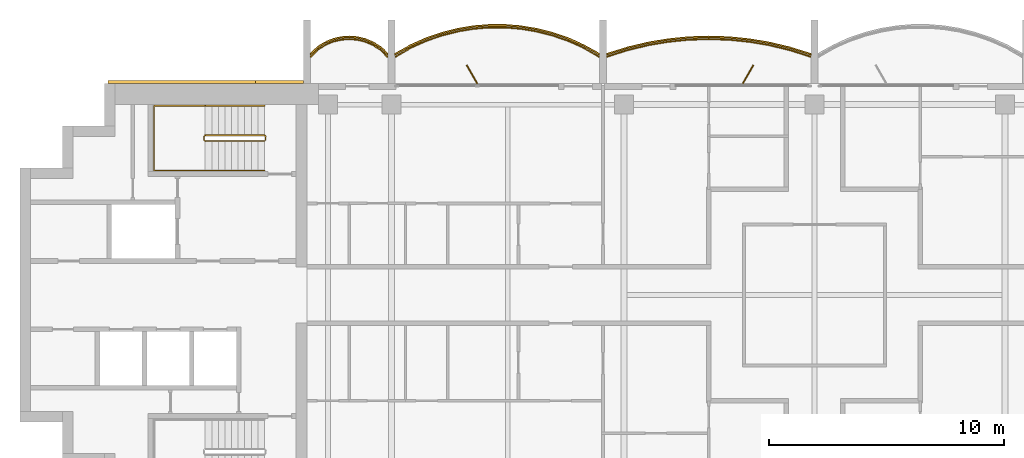
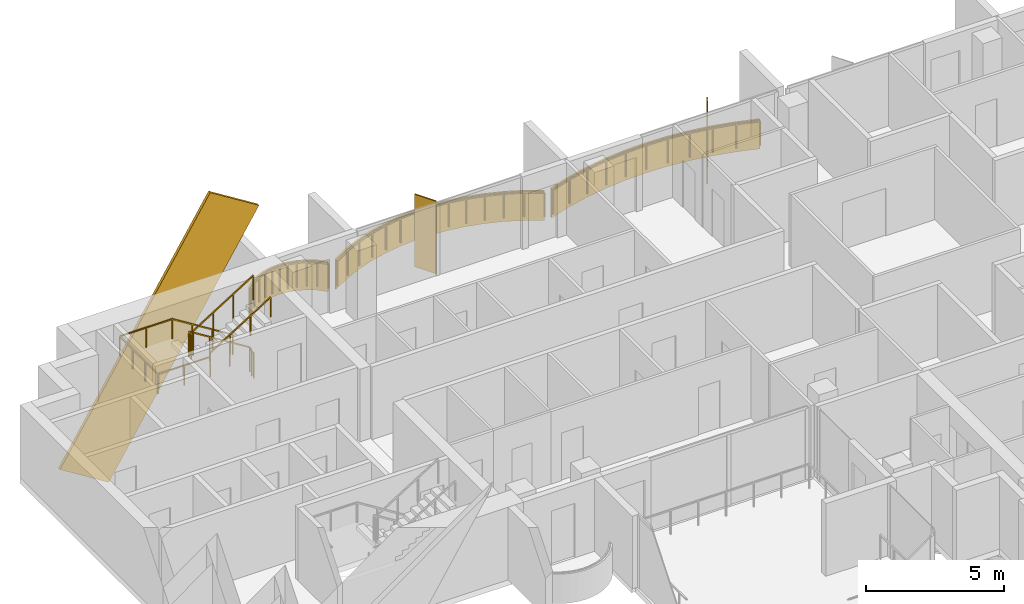
# One storey, part 16 of 18: 5 railings, 4 coverings, 2 shading devices.
"""IFC4 building model written with IfcOpenShell, lengths in metres."""

from ifc_helpers import new_model, si_unit, direction, frame, origin, origin_2d, place, context, subcontext, project, spatial, polyline, rectangle, outline, extrude, material, layer, layer_set, material_profile, profile_set, type_object, element, save


model = new_model("IFC4")

# Units and contexts
model_context = context("Model", 3, precision=1e-05, world=origin(), true_north=direction((0.0, 1.0)))
body_context = subcontext(model_context, "Body", "Model", "MODEL_VIEW")
ifc_project = project(units=[si_unit("LENGTHUNIT", "METRE"), si_unit("AREAUNIT", "SQUARE_METRE"), si_unit("VOLUMEUNIT", "CUBIC_METRE"), si_unit("PLANEANGLEUNIT", "RADIAN"), si_unit("MASSUNIT", "GRAM", prefix="KILO")], contexts=[model_context])

# Site, building, storey
site_placement = place(None, origin())
site = spatial("IfcSite", under=ifc_project, at=site_placement, CompositionType="ELEMENT")
building_placement = place(site_placement, origin())
building = spatial("IfcBuilding", under=site, at=building_placement, Name="Perihelion Cross Residences", CompositionType="ELEMENT")
storey_placement = place(building_placement, frame((0.0, 0.0, 281.5)))
storey = spatial("IfcBuildingStorey", under=building, at=storey_placement, Name="L72", CompositionType="ELEMENT", Elevation=281.5)

# Coverings
ifc_material_1 = material(Name="Bronze anodised aluminium", Category="aluminium")
ifc_layer_1 = layer(ifc_material_1, 0.070068359375)
ifc_layer_set_1 = layer_set([ifc_layer_1], Name="Balcony fascia 1300")
covering_type_1 = type_object("IfcCoveringType", Name="Balcony fascia 1300", PredefinedType="CLADDING", material=ifc_layer_set_1)
covering_1_placement = place(storey_placement, frame((0.0, 0.0, -0.199951171875)))
element("IfcCovering", 1, at=covering_1_placement, inside=storey, type_object=covering_type_1, Name="Fascia BF1 L72 north side east bay 2", PredefinedType="CLADDING", context=body_context, shape_type="SweptSolid", body=[
    extrude(outline(polyline([(-1.001220703125, 10.542724609375), (-1.8759765625, 10.753662109375), (-2.750732421875, 10.90234375), (-3.625244140625, 10.99072265625), (-4.5, 11.02001953125), (-5.374755859375, 10.99072265625), (-6.249267578125, 10.90234375), (-7.1240234375, 10.753662109375), (-7.998779296875, 10.542724609375), (-8.85009765625, 10.2734375), (-8.85009765625, 10.199951171875), (-7.97998046875, 10.47509765625), (-7.110107421875, 10.68505859375), (-6.239990234375, 10.8330078125), (-5.3701171875, 10.9208984375), (-4.5, 10.949951171875), (-3.6298828125, 10.9208984375), (-2.760009765625, 10.8330078125), (-1.889892578125, 10.68505859375), (-1.02001953125, 10.47509765625), (-0.14990234375, 10.199951171875), (-0.14990234375, 10.2734375), (-1.001220703125, 10.542724609375)])), origin(), (0.0, 0.0, 1.0), 1.300048828125),
])
covering_2_placement = place(storey_placement, frame((0.0, 0.0, -0.199951171875)))
element("IfcCovering", 2, at=covering_2_placement, inside=storey, type_object=covering_type_1, Name="Fascia BF1 L72 west side north bay 1", PredefinedType="CLADDING", context=body_context, shape_type="SweptSolid", body=[
    extrude(outline(polyline([(-9.787841796875, 10.63916015625), (-10.462646484375, 10.941650390625), (-11.1376953125, 11.175048828125), (-11.8125, 11.345947265625), (-12.487548828125, 11.457763671875), (-13.16259765625, 11.51318359375), (-13.83740234375, 11.51318359375), (-14.512451171875, 11.457763671875), (-15.1875, 11.345947265625), (-15.8623046875, 11.175048828125), (-16.537353515625, 10.941650390625), (-17.212158203125, 10.63916015625), (-17.85009765625, 10.2802734375), (-17.85009765625, 10.199951171875), (-17.1806640625, 10.57666015625), (-16.511474609375, 10.87646484375), (-15.84228515625, 11.108154296875), (-15.173095703125, 11.27734375), (-14.50390625, 11.38818359375), (-13.834716796875, 11.443115234375), (-13.165283203125, 11.443115234375), (-12.49609375, 11.38818359375), (-11.826904296875, 11.27734375), (-11.15771484375, 11.108154296875), (-10.488525390625, 10.87646484375), (-9.8193359375, 10.57666015625), (-9.14990234375, 10.199951171875), (-9.14990234375, 10.2802734375), (-9.787841796875, 10.63916015625)])), origin(), (0.0, 0.0, 1.0), 1.300048828125),
])
covering_3_placement = place(storey_placement, frame((0.0, 0.0, -0.199951171875)))
element("IfcCovering", 3, at=covering_3_placement, inside=storey, type_object=covering_type_1, Name="Fascia BF1 L72 west side north bay 2", PredefinedType="CLADDING", context=body_context, shape_type="SweptSolid", body=[
    extrude(outline(polyline([(-18.4375, 10.56298828125), (-18.778076171875, 10.77587890625), (-19.11865234375, 10.914794921875), (-19.45947265625, 10.994140625), (-19.800048828125, 11.02001953125), (-20.140625, 10.994140625), (-20.481201171875, 10.914794921875), (-20.82177734375, 10.77587890625), (-21.16259765625, 10.56298828125), (-21.449951171875, 10.295654296875), (-21.449951171875, 10.199951171875), (-21.1201171875, 10.507568359375), (-20.7900390625, 10.71337890625), (-20.4599609375, 10.84814453125), (-20.1298828125, 10.925048828125), (-19.800048828125, 10.949951171875), (-19.469970703125, 10.925048828125), (-19.139892578125, 10.84814453125), (-18.81005859375, 10.71337890625), (-18.47998046875, 10.507568359375), (-18.14990234375, 10.199951171875), (-18.14990234375, 10.295654296875), (-18.4375, 10.56298828125)])), origin(), (0.0, 0.0, 1.0), 1.300048828125),
])

# Railings
ifc_material_2 = material(Name="Bronze anodised aluminium", Category="aluminium")
railing_type_1 = type_object("IfcRailingType", Name="Balcony guard 1100", PredefinedType="GUARDRAIL", material=ifc_material_2)
railing_1_placement = place(storey_placement, frame((-0.175048828125, 10.139892578125, 0.0)))
element("IfcRailing", 4, at=railing_1_placement, inside=storey, type_object=railing_type_1, Name="Guard GU1 L72 north side east bay 2 balcony", PredefinedType="GUARDRAIL", context=body_context, shape_type="SweptSolid", body=[
    extrude(rectangle(XDim=0.048095703125, YDim=0.048095703125, at=origin_2d()), frame((0.0, 0.0, 1.076171875), z_axis=(-0.950777354264, 0.30987484993, 0.0), x_axis=(-0.30987484993, -0.950777354264, 0.0)), (0.0, 0.0, 1.0), 0.888671875),
    extrude(rectangle(XDim=0.048095703125, YDim=0.048095703125, at=origin_2d()), frame((-0.844970703125, 0.275390625, 1.076171875), z_axis=(-0.972146551129, 0.234373810671, 0.0), x_axis=(-0.234373810671, -0.972146551129, 0.0)), (0.0, 0.0, 1.0), 0.894775390625),
    extrude(rectangle(XDim=0.048095703125, YDim=0.048095703125, at=origin_2d()), frame((-1.71484375, 0.485107421875, 1.076171875), z_axis=(-0.985850361727, 0.167627755108, 0.0), x_axis=(-0.167627755108, -0.985850361727, 0.0)), (0.0, 0.0, 1.0), 0.882568359375),
    extrude(rectangle(XDim=0.048095703125, YDim=0.048095703125, at=origin_2d()), frame((-2.5849609375, 0.633056640625, 1.076171875), z_axis=(-0.994934368303, 0.100526627165, 0.0), x_axis=(-0.100526627165, -0.994934368303, 0.0)), (0.0, 0.0, 1.0), 0.874267578125),
    extrude(rectangle(XDim=0.048095703125, YDim=0.048095703125, at=origin_2d()), frame((-3.454833984375, 0.720947265625, 1.076171875), z_axis=(-0.999443037968, 0.0333708534, 0.0), x_axis=(-0.0333708534, -0.999443037968, 0.0)), (0.0, 0.0, 1.0), 0.87060546875),
    extrude(rectangle(XDim=0.048095703125, YDim=0.048095703125, at=origin_2d()), frame((-4.324951171875, 0.75, 1.076171875), z_axis=(-0.999443037968, -0.0333708534, 0.0), x_axis=(0.0333708534, -0.999443037968, 0.0)), (0.0, 0.0, 1.0), 0.87060546875),
    extrude(rectangle(XDim=0.048095703125, YDim=0.048095703125, at=origin_2d()), frame((-5.195068359375, 0.720947265625, 1.076171875), z_axis=(-0.994934368303, -0.100526627165, 0.0), x_axis=(0.100526627165, -0.994934368303, 0.0)), (0.0, 0.0, 1.0), 0.874267578125),
    extrude(rectangle(XDim=0.048095703125, YDim=0.048095703125, at=origin_2d()), frame((-6.06494140625, 0.633056640625, 1.076171875), z_axis=(-0.985850361727, -0.167627755108, 0.0), x_axis=(0.167627755108, -0.985850361727, 0.0)), (0.0, 0.0, 1.0), 0.882568359375),
    extrude(rectangle(XDim=0.048095703125, YDim=0.048095703125, at=origin_2d()), frame((-6.93505859375, 0.485107421875, 1.076171875), z_axis=(-0.972146551129, -0.234373810671, 0.0), x_axis=(0.234373810671, -0.972146551129, 0.0)), (0.0, 0.0, 1.0), 0.894775390625),
    extrude(rectangle(XDim=0.048095703125, YDim=0.048095703125, at=origin_2d()), frame((-7.804931640625, 0.275390625, 1.076171875), z_axis=(-0.950777354264, -0.30987484993, 0.0), x_axis=(0.30987484993, -0.950777354264, 0.0)), (0.0, 0.0, 1.0), 0.888671875),
    extrude(rectangle(XDim=0.0419921875, YDim=0.0419921875, at=origin_2d()), origin(), (0.0, 0.0, 1.0), 1.052001953125),
    extrude(rectangle(XDim=0.0419921875, YDim=0.0419921875, at=origin_2d()), frame((-0.844970703125, 0.275390625, 0.0)), (0.0, 0.0, 1.0), 1.052001953125),
    extrude(rectangle(XDim=0.0419921875, YDim=0.0419921875, at=origin_2d()), frame((-1.71484375, 0.485107421875, 0.0)), (0.0, 0.0, 1.0), 1.052001953125),
    extrude(rectangle(XDim=0.0419921875, YDim=0.0419921875, at=origin_2d()), frame((-2.5849609375, 0.633056640625, 0.0)), (0.0, 0.0, 1.0), 1.052001953125),
    extrude(rectangle(XDim=0.0419921875, YDim=0.0419921875, at=origin_2d()), frame((-3.454833984375, 0.720947265625, 0.0)), (0.0, 0.0, 1.0), 1.052001953125),
    extrude(rectangle(XDim=0.0419921875, YDim=0.0419921875, at=origin_2d()), frame((-4.324951171875, 0.75, 0.0)), (0.0, 0.0, 1.0), 1.052001953125),
    extrude(rectangle(XDim=0.0419921875, YDim=0.0419921875, at=origin_2d()), frame((-5.195068359375, 0.720947265625, 0.0)), (0.0, 0.0, 1.0), 1.052001953125),
    extrude(rectangle(XDim=0.0419921875, YDim=0.0419921875, at=origin_2d()), frame((-6.06494140625, 0.633056640625, 0.0)), (0.0, 0.0, 1.0), 1.052001953125),
    extrude(rectangle(XDim=0.0419921875, YDim=0.0419921875, at=origin_2d()), frame((-6.93505859375, 0.485107421875, 0.0)), (0.0, 0.0, 1.0), 1.052001953125),
    extrude(rectangle(XDim=0.0419921875, YDim=0.0419921875, at=origin_2d()), frame((-7.804931640625, 0.275390625, 0.0)), (0.0, 0.0, 1.0), 1.052001953125),
    extrude(rectangle(XDim=0.0419921875, YDim=0.0419921875, at=origin_2d()), frame((-8.64990234375, 0.0, 0.0)), (0.0, 0.0, 1.0), 1.052001953125),
])
railing_2_placement = place(storey_placement, frame((-9.175048828125, 10.139892578125, 0.0)))
element("IfcRailing", 5, at=railing_2_placement, inside=storey, type_object=railing_type_1, Name="Guard GU1 L72 west side north bay 1 balcony", PredefinedType="GUARDRAIL", context=body_context, shape_type="SweptSolid", body=[
    extrude(rectangle(XDim=0.048095703125, YDim=0.048095703125, at=origin_2d()), frame((0.0, 0.0, 1.076171875), z_axis=(-0.863125740505, 0.504989065305, 0.0), x_axis=(-0.504989065305, -0.863125740505, 0.0)), (0.0, 0.0, 1.0), 0.746337890625),
    extrude(rectangle(XDim=0.048095703125, YDim=0.048095703125, at=origin_2d()), frame((-0.644287109375, 0.376953125, 1.076171875), z_axis=(-0.912723499295, 0.408577794103, 0.0), x_axis=(-0.408577794103, -0.912723499295, 0.0)), (0.0, 0.0, 1.0), 0.733154296875),
    extrude(rectangle(XDim=0.048095703125, YDim=0.048095703125, at=origin_2d()), frame((-1.3134765625, 0.676513671875, 1.076171875), z_axis=(-0.944965577734, 0.327169767701, 0.0), x_axis=(-0.327169767701, -0.944965577734, 0.0)), (0.0, 0.0, 1.0), 0.708251953125),
    extrude(rectangle(XDim=0.048095703125, YDim=0.048095703125, at=origin_2d()), frame((-1.982666015625, 0.908203125, 1.076171875), z_axis=(-0.96949408574, 0.245114703181, 0.0), x_axis=(-0.245114703181, -0.96949408574, 0.0)), (0.0, 0.0, 1.0), 0.690185546875),
    extrude(rectangle(XDim=0.048095703125, YDim=0.048095703125, at=origin_2d()), frame((-2.65185546875, 1.077392578125, 1.076171875), z_axis=(-0.986500713816, 0.163756959061, 0.0), x_axis=(-0.163756959061, -0.986500713816, 0.0)), (0.0, 0.0, 1.0), 0.678466796875),
    extrude(rectangle(XDim=0.048095703125, YDim=0.048095703125, at=origin_2d()), frame((-3.321044921875, 1.1884765625, 1.076171875), z_axis=(-0.996677390684, 0.081450468994, 0.0), x_axis=(-0.081450468994, -0.996677390684, 0.0)), (0.0, 0.0, 1.0), 0.67138671875),
    extrude(rectangle(XDim=0.048095703125, YDim=0.048095703125, at=origin_2d()), frame((-3.990234375, 1.2431640625, 1.076171875), z_axis=(-1.0, 0.0, 0.0), x_axis=(0.0, -1.0, 0.0)), (0.0, 0.0, 1.0), 0.66943359375),
    extrude(rectangle(XDim=0.048095703125, YDim=0.048095703125, at=origin_2d()), frame((-4.65966796875, 1.2431640625, 1.076171875), z_axis=(-0.996677390684, -0.081450468994, 0.0), x_axis=(0.081450468994, -0.996677390684, 0.0)), (0.0, 0.0, 1.0), 0.67138671875),
    extrude(rectangle(XDim=0.048095703125, YDim=0.048095703125, at=origin_2d()), frame((-5.328857421875, 1.1884765625, 1.076171875), z_axis=(-0.986500713816, -0.163756959061, 0.0), x_axis=(0.163756959061, -0.986500713816, 0.0)), (0.0, 0.0, 1.0), 0.678466796875),
    extrude(rectangle(XDim=0.048095703125, YDim=0.048095703125, at=origin_2d()), frame((-5.998046875, 1.077392578125, 1.076171875), z_axis=(-0.96949408574, -0.245114703181, 0.0), x_axis=(0.245114703181, -0.96949408574, 0.0)), (0.0, 0.0, 1.0), 0.690185546875),
    extrude(rectangle(XDim=0.048095703125, YDim=0.048095703125, at=origin_2d()), frame((-6.667236328125, 0.908203125, 1.076171875), z_axis=(-0.944965577734, -0.327169767701, 0.0), x_axis=(0.327169767701, -0.944965577734, 0.0)), (0.0, 0.0, 1.0), 0.708251953125),
    extrude(rectangle(XDim=0.048095703125, YDim=0.048095703125, at=origin_2d()), frame((-7.33642578125, 0.676513671875, 1.076171875), z_axis=(-0.912723499295, -0.408577794103, 0.0), x_axis=(0.408577794103, -0.912723499295, 0.0)), (0.0, 0.0, 1.0), 0.733154296875),
    extrude(rectangle(XDim=0.048095703125, YDim=0.048095703125, at=origin_2d()), frame((-8.005615234375, 0.376953125, 1.076171875), z_axis=(-0.863125740505, -0.504989065305, 0.0), x_axis=(0.504989065305, -0.863125740505, 0.0)), (0.0, 0.0, 1.0), 0.746337890625),
    extrude(rectangle(XDim=0.0419921875, YDim=0.0419921875, at=origin_2d()), origin(), (0.0, 0.0, 1.0), 1.052001953125),
    extrude(rectangle(XDim=0.0419921875, YDim=0.0419921875, at=origin_2d()), frame((-0.644287109375, 0.376953125, 0.0)), (0.0, 0.0, 1.0), 1.052001953125),
    extrude(rectangle(XDim=0.0419921875, YDim=0.0419921875, at=origin_2d()), frame((-1.3134765625, 0.676513671875, 0.0)), (0.0, 0.0, 1.0), 1.052001953125),
    extrude(rectangle(XDim=0.0419921875, YDim=0.0419921875, at=origin_2d()), frame((-1.982666015625, 0.908203125, 0.0)), (0.0, 0.0, 1.0), 1.052001953125),
    extrude(rectangle(XDim=0.0419921875, YDim=0.0419921875, at=origin_2d()), frame((-2.65185546875, 1.077392578125, 0.0)), (0.0, 0.0, 1.0), 1.052001953125),
    extrude(rectangle(XDim=0.0419921875, YDim=0.0419921875, at=origin_2d()), frame((-3.321044921875, 1.1884765625, 0.0)), (0.0, 0.0, 1.0), 1.052001953125),
    extrude(rectangle(XDim=0.0419921875, YDim=0.0419921875, at=origin_2d()), frame((-3.990234375, 1.2431640625, 0.0)), (0.0, 0.0, 1.0), 1.052001953125),
    extrude(rectangle(XDim=0.0419921875, YDim=0.0419921875, at=origin_2d()), frame((-4.65966796875, 1.2431640625, 0.0)), (0.0, 0.0, 1.0), 1.052001953125),
    extrude(rectangle(XDim=0.0419921875, YDim=0.0419921875, at=origin_2d()), frame((-5.328857421875, 1.1884765625, 0.0)), (0.0, 0.0, 1.0), 1.052001953125),
    extrude(rectangle(XDim=0.0419921875, YDim=0.0419921875, at=origin_2d()), frame((-5.998046875, 1.077392578125, 0.0)), (0.0, 0.0, 1.0), 1.052001953125),
    extrude(rectangle(XDim=0.0419921875, YDim=0.0419921875, at=origin_2d()), frame((-6.667236328125, 0.908203125, 0.0)), (0.0, 0.0, 1.0), 1.052001953125),
    extrude(rectangle(XDim=0.0419921875, YDim=0.0419921875, at=origin_2d()), frame((-7.33642578125, 0.676513671875, 0.0)), (0.0, 0.0, 1.0), 1.052001953125),
    extrude(rectangle(XDim=0.0419921875, YDim=0.0419921875, at=origin_2d()), frame((-8.005615234375, 0.376953125, 0.0)), (0.0, 0.0, 1.0), 1.052001953125),
    extrude(rectangle(XDim=0.0419921875, YDim=0.0419921875, at=origin_2d()), frame((-8.64990234375, 0.0, 0.0)), (0.0, 0.0, 1.0), 1.052001953125),
])
railing_3_placement = place(storey_placement, frame((-18.175048828125, 10.139892578125, 0.0)))
element("IfcRailing", 6, at=railing_3_placement, inside=storey, type_object=railing_type_1, Name="Guard GU1 L72 west side north bay 2 balcony", PredefinedType="GUARDRAIL", context=body_context, shape_type="SweptSolid", body=[
    extrude(rectangle(XDim=0.048095703125, YDim=0.048095703125, at=origin_2d()), frame((0.0, 0.0, 1.076171875), z_axis=(-0.703999905859, 0.710200065158, 0.0), x_axis=(-0.710200065158, -0.703999905859, 0.0)), (0.0, 0.0, 1.0), 0.43310546875),
    extrude(rectangle(XDim=0.048095703125, YDim=0.048095703125, at=origin_2d()), frame((-0.304931640625, 0.3076171875, 1.076171875), z_axis=(-0.848280173265, 0.529547682127, 0.0), x_axis=(-0.529547682127, -0.848280173265, 0.0)), (0.0, 0.0, 1.0), 0.38916015625),
    extrude(rectangle(XDim=0.048095703125, YDim=0.048095703125, at=origin_2d()), frame((-0.635009765625, 0.513671875, 1.076171875), z_axis=(-0.925950379976, 0.377645195682, 0.0), x_axis=(-0.377645195682, -0.925950379976, 0.0)), (0.0, 0.0, 1.0), 0.356201171875),
    extrude(rectangle(XDim=0.048095703125, YDim=0.048095703125, at=origin_2d()), frame((-0.96484375, 0.648193359375, 1.076171875), z_axis=(-0.97391554583, 0.226910796551, 0.0), x_axis=(-0.226910796551, -0.97391554583, 0.0)), (0.0, 0.0, 1.0), 0.3388671875),
    extrude(rectangle(XDim=0.048095703125, YDim=0.048095703125, at=origin_2d()), frame((-1.294921875, 0.72509765625, 1.076171875), z_axis=(-0.997166208737, 0.075229995038, 0.0), x_axis=(-0.075229995038, -0.997166208737, 0.0)), (0.0, 0.0, 1.0), 0.3310546875),
    extrude(rectangle(XDim=0.048095703125, YDim=0.048095703125, at=origin_2d()), frame((-1.625, 0.75, 1.076171875), z_axis=(-0.997162029931, -0.075285364214, 0.0), x_axis=(0.075285364214, -0.997162029931, 0.0)), (0.0, 0.0, 1.0), 0.330810546875),
    extrude(rectangle(XDim=0.048095703125, YDim=0.048095703125, at=origin_2d()), frame((-1.954833984375, 0.72509765625, 1.076171875), z_axis=(-0.97391554583, -0.226910796551, 0.0), x_axis=(0.226910796551, -0.97391554583, 0.0)), (0.0, 0.0, 1.0), 0.3388671875),
    extrude(rectangle(XDim=0.048095703125, YDim=0.048095703125, at=origin_2d()), frame((-2.284912109375, 0.648193359375, 1.076171875), z_axis=(-0.926048033295, -0.377405670374, 0.0), x_axis=(0.377405670374, -0.926048033295, 0.0)), (0.0, 0.0, 1.0), 0.3564453125),
    extrude(rectangle(XDim=0.048095703125, YDim=0.048095703125, at=origin_2d()), frame((-2.614990234375, 0.513671875, 1.076171875), z_axis=(-0.848280173265, -0.529547682127, 0.0), x_axis=(0.529547682127, -0.848280173265, 0.0)), (0.0, 0.0, 1.0), 0.38916015625),
    extrude(rectangle(XDim=0.048095703125, YDim=0.048095703125, at=origin_2d()), frame((-2.945068359375, 0.3076171875, 1.076171875), z_axis=(-0.703999905859, -0.710200065158, 0.0), x_axis=(0.710200065158, -0.703999905859, 0.0)), (0.0, 0.0, 1.0), 0.43310546875),
    extrude(rectangle(XDim=0.0419921875, YDim=0.0419921875, at=origin_2d()), origin(), (0.0, 0.0, 1.0), 1.052001953125),
    extrude(rectangle(XDim=0.0419921875, YDim=0.0419921875, at=origin_2d()), frame((-0.304931640625, 0.3076171875, 0.0)), (0.0, 0.0, 1.0), 1.052001953125),
    extrude(rectangle(XDim=0.0419921875, YDim=0.0419921875, at=origin_2d()), frame((-0.635009765625, 0.513671875, 0.0)), (0.0, 0.0, 1.0), 1.052001953125),
    extrude(rectangle(XDim=0.0419921875, YDim=0.0419921875, at=origin_2d()), frame((-0.96484375, 0.648193359375, 0.0)), (0.0, 0.0, 1.0), 1.052001953125),
    extrude(rectangle(XDim=0.0419921875, YDim=0.0419921875, at=origin_2d()), frame((-1.294921875, 0.72509765625, 0.0)), (0.0, 0.0, 1.0), 1.052001953125),
    extrude(rectangle(XDim=0.0419921875, YDim=0.0419921875, at=origin_2d()), frame((-1.625, 0.75, 0.0)), (0.0, 0.0, 1.0), 1.052001953125),
    extrude(rectangle(XDim=0.0419921875, YDim=0.0419921875, at=origin_2d()), frame((-1.954833984375, 0.72509765625, 0.0)), (0.0, 0.0, 1.0), 1.052001953125),
    extrude(rectangle(XDim=0.0419921875, YDim=0.0419921875, at=origin_2d()), frame((-2.284912109375, 0.648193359375, 0.0)), (0.0, 0.0, 1.0), 1.052001953125),
    extrude(rectangle(XDim=0.0419921875, YDim=0.0419921875, at=origin_2d()), frame((-2.614990234375, 0.513671875, 0.0)), (0.0, 0.0, 1.0), 1.052001953125),
    extrude(rectangle(XDim=0.0419921875, YDim=0.0419921875, at=origin_2d()), frame((-2.945068359375, 0.3076171875, 0.0)), (0.0, 0.0, 1.0), 1.052001953125),
    extrude(rectangle(XDim=0.0419921875, YDim=0.0419921875, at=origin_2d()), frame((-3.25, 0.0, 0.0)), (0.0, 0.0, 1.0), 1.052001953125),
])

# Covering
ifc_material_3 = material(Name="Bronze anodised aluminium", Category="aluminium")
ifc_material_profile = material_profile(ifc_material_3, rectangle(XDim=0.125, YDim=2.39990234375, at=origin_2d()), Name="Bronze cladding band 2400")
ifc_profile_set = profile_set([ifc_material_profile], Name="Bronze anodised aluminium")
covering_type_2 = type_object("IfcCoveringType", Name="Bronze cladding band 2400", PredefinedType="CLADDING", material=ifc_profile_set)
covering_4_placement = place(storey_placement, frame((-29.0322265625, 9.0625, -3.78759765625), z_axis=(0.529915403603, 0.0, 0.848050508534), x_axis=(0.0, 1.0, 0.0)))
element("IfcCovering", 7, at=covering_4_placement, inside=storey, type_object=covering_type_2, Name="Core cladding band, west core", PredefinedType="CLADDING", context=body_context, shape_type="SweptSolid", body=[
    extrude(rectangle(XDim=0.125, YDim=2.39990234375, at=origin_2d()), origin(), (0.0, 0.0, 1.0), 11.822021484375),
])

# Shading devices
ifc_material_4 = material(Name="Bronze anodised aluminium", Category="aluminium")
ifc_layer_2 = layer(ifc_material_4, 0.050048828125)
ifc_layer_set_2 = layer_set([ifc_layer_2], Name="Bronze fin 900")
shading_device_type = type_object("IfcShadingDeviceType", Name="Bronze fin 900", PredefinedType="USERDEFINED", material=ifc_layer_set_2)
for number, where, z_axis, x_axis, name in (
    (8, (-2.824951171875, 9.3896484375, 0.0), (0.0, 0.0, 1.0), (0.5, 0.866025403784, 0.0), "Fin FN1 L72 north side east bay 2"),
    (9, (-14.574951171875, 9.3896484375, 0.0), (0.0, 0.0, 1.0), (-0.5, 0.866025403784, 0.0), "Fin FN1 L72 west side north bay 1"),
):
    element("IfcShadingDevice", number, at=place(storey_placement, frame(where, z_axis=z_axis, x_axis=x_axis)), inside=storey, type_object=shading_device_type, Name=name, ObjectType="FIN", PredefinedType="USERDEFINED", context=body_context, shape_type="SweptSolid", body=[
        extrude(rectangle(XDim=0.89990234375, YDim=0.050048828125, at=origin_2d()), origin(), (0.0, 0.0, 1.0), 3.199951171875),
    ])

# Railings
ifc_material_5 = material(Name="Stainless steel", Category="steel")
railing_type_2 = type_object("IfcRailingType", Name="Stair guard 1100", PredefinedType="GUARDRAIL", material=ifc_material_5)
railing_4_placement = place(storey_placement, frame((-23.35009765625, 6.60009765625, 0.0)))
element("IfcRailing", 10, at=railing_4_placement, inside=storey, type_object=railing_type_2, Name="L72 ST-W1 stair guard 1", PredefinedType="GUARDRAIL", context=body_context, shape_type="SweptSolid", body=[
    extrude(rectangle(XDim=0.048095703125, YDim=0.048095703125, at=origin_2d()), frame((0.0, 0.0, 1.076171875), z_axis=(0.0, 1.0, 0.0), x_axis=(-1.0, 0.0, 0.0)), (0.0, 0.0, 1.0), 0.14990234375),
    extrude(rectangle(XDim=0.048095703125, YDim=0.048095703125, at=origin_2d()), frame((0.0, 0.14990234375, 1.076171875), z_axis=(-0.263862480399, 0.265155923931, 0.927399011991), x_axis=(-0.708833529934, -0.705375805398, 0.0)), (0.0, 0.0, 1.0), 0.188720703125),
    extrude(rectangle(XDim=0.048095703125, YDim=0.048095703125, at=origin_2d()), frame((-0.0498046875, 0.199951171875, 1.2509765625), z_axis=(-0.848007534815, 0.0, 0.529984170421), x_axis=(0.0, -1.0, 0.0)), (0.0, 0.0, 1.0), 2.9716796875),
    extrude(rectangle(XDim=0.048095703125, YDim=0.048095703125, at=origin_2d()), frame((-2.56982421875, 0.199951171875, 2.826171875), z_axis=(-0.707106781187, -0.707106781187, 0.0), x_axis=(0.707106781187, -0.707106781187, 0.0)), (0.0, 0.0, 1.0), 0.07080078125),
    extrude(rectangle(XDim=0.048095703125, YDim=0.048095703125, at=origin_2d()), frame((-2.619873046875, 0.14990234375, 2.826171875), z_axis=(0.0, -1.0, 0.0), x_axis=(1.0, 0.0, 0.0)), (0.0, 0.0, 1.0), 0.14990234375),
    extrude(rectangle(XDim=0.048095703125, YDim=0.048095703125, at=origin_2d()), frame((-2.619873046875, 0.0, 2.826171875), z_axis=(0.265065253269, -0.265065253269, 0.927081885822), x_axis=(0.707106781187, 0.707106781187, 0.0)), (0.0, 0.0, 1.0), 0.188720703125),
    extrude(rectangle(XDim=0.048095703125, YDim=0.048095703125, at=origin_2d()), frame((-2.56982421875, -0.050048828125, 3.0009765625), z_axis=(0.848007534815, 0.0, 0.529984170421), x_axis=(0.0, 1.0, 0.0)), (0.0, 0.0, 1.0), 2.9716796875),
    extrude(rectangle(XDim=0.0419921875, YDim=0.0419921875, at=origin_2d()), origin(), (0.0, 0.0, 1.0), 1.052001953125),
    extrude(rectangle(XDim=0.0419921875, YDim=0.0419921875, at=origin_2d()), frame((0.0, 0.14990234375, 0.0)), (0.0, 0.0, 1.0), 1.052001953125),
    extrude(rectangle(XDim=0.0419921875, YDim=0.0419921875, at=origin_2d()), frame((-0.0498046875, 0.199951171875, 0.175048828125)), (0.0, 0.0, 1.0), 1.052001953125),
    extrude(rectangle(XDim=0.0419921875, YDim=0.0419921875, at=origin_2d()), frame((-0.889892578125, 0.199951171875, 0.699951171875)), (0.0, 0.0, 1.0), 1.052001953125),
    extrude(rectangle(XDim=0.0419921875, YDim=0.0419921875, at=origin_2d()), frame((-1.729736328125, 0.199951171875, 1.22509765625)), (0.0, 0.0, 1.0), 1.052001953125),
    extrude(rectangle(XDim=0.0419921875, YDim=0.0419921875, at=origin_2d()), frame((-2.56982421875, 0.199951171875, 1.75)), (0.0, 0.0, 1.0), 1.052001953125),
    extrude(rectangle(XDim=0.0419921875, YDim=0.0419921875, at=origin_2d()), frame((-2.619873046875, 0.14990234375, 1.75)), (0.0, 0.0, 1.0), 1.052001953125),
    extrude(rectangle(XDim=0.0419921875, YDim=0.0419921875, at=origin_2d()), frame((-2.619873046875, 0.0, 1.75)), (0.0, 0.0, 1.0), 1.052001953125),
    extrude(rectangle(XDim=0.0419921875, YDim=0.0419921875, at=origin_2d()), frame((-2.56982421875, -0.050048828125, 1.925048828125)), (0.0, 0.0, 1.0), 1.052001953125),
    extrude(rectangle(XDim=0.0419921875, YDim=0.0419921875, at=origin_2d()), frame((-1.729736328125, -0.050048828125, 2.449951171875)), (0.0, 0.0, 1.0), 1.052001953125),
    extrude(rectangle(XDim=0.0419921875, YDim=0.0419921875, at=origin_2d()), frame((-0.889892578125, -0.050048828125, 2.97509765625)), (0.0, 0.0, 1.0), 1.052001953125),
    extrude(rectangle(XDim=0.0419921875, YDim=0.0419921875, at=origin_2d()), frame((-0.0498046875, -0.050048828125, 3.5)), (0.0, 0.0, 1.0), 1.052001953125),
])
ifc_material_6 = material(Name="Stainless steel", Category="steel")
railing_type_3 = type_object("IfcRailingType", Name="Stair handrail 900", PredefinedType="HANDRAIL", material=ifc_material_6)
railing_5_placement = place(storey_placement, frame((-23.39990234375, 8.050048828125, 0.175048828125)))
element("IfcRailing", 11, at=railing_5_placement, inside=storey, type_object=railing_type_3, Name="L72 ST-W1 stair handrail 1", PredefinedType="HANDRAIL", context=body_context, shape_type="SweptSolid", body=[
    extrude(rectangle(XDim=0.048095703125, YDim=0.048095703125, at=origin_2d()), frame((0.0, 0.0, 0.8759765625), z_axis=(-0.848007534815, 0.0, 0.529984170421), x_axis=(0.0, -1.0, 0.0)), (0.0, 0.0, 1.0), 2.9716796875),
    extrude(rectangle(XDim=0.048095703125, YDim=0.048095703125, at=origin_2d()), frame((-2.52001953125, 0.0, 2.45068359375), z_axis=(-1.0, 0.0, 0.0), x_axis=(0.0, -1.0, 0.0)), (0.0, 0.0, 1.0), 2.18017578125),
    extrude(rectangle(XDim=0.048095703125, YDim=0.048095703125, at=origin_2d()), frame((-4.7001953125, 0.0, 2.45068359375), z_axis=(0.0, -1.0, 0.0), x_axis=(1.0, 0.0, 0.0)), (0.0, 0.0, 1.0), 2.75),
    extrude(rectangle(XDim=0.048095703125, YDim=0.048095703125, at=origin_2d()), frame((-4.7001953125, -2.75, 2.45068359375), z_axis=(1.0, 0.0, 0.0), x_axis=(0.0, 1.0, 0.0)), (0.0, 0.0, 1.0), 2.18017578125),
    extrude(rectangle(XDim=0.048095703125, YDim=0.048095703125, at=origin_2d()), frame((-2.52001953125, -2.75, 2.45068359375), z_axis=(0.0, 0.0, 1.0), x_axis=(1.0, 0.0, 0.0)), (0.0, 0.0, 1.0), 0.175048828125),
    extrude(rectangle(XDim=0.048095703125, YDim=0.048095703125, at=origin_2d()), frame((-2.52001953125, -2.75, 2.6259765625), z_axis=(0.848007534815, 0.0, 0.529984170421), x_axis=(0.0, 1.0, 0.0)), (0.0, 0.0, 1.0), 2.9716796875),
    extrude(rectangle(XDim=0.0419921875, YDim=0.0419921875, at=origin_2d()), origin(), (0.0, 0.0, 1.0), 0.851806640625),
    extrude(rectangle(XDim=0.0419921875, YDim=0.0419921875, at=origin_2d()), frame((-0.840087890625, 0.0, 0.52490234375)), (0.0, 0.0, 1.0), 0.851806640625),
    extrude(rectangle(XDim=0.0419921875, YDim=0.0419921875, at=origin_2d()), frame((-1.679931640625, 0.0, 1.050048828125)), (0.0, 0.0, 1.0), 0.851806640625),
    extrude(rectangle(XDim=0.0419921875, YDim=0.0419921875, at=origin_2d()), frame((-2.52001953125, 0.0, 1.574951171875)), (0.0, 0.0, 1.0), 0.851806640625),
    extrude(rectangle(XDim=0.0419921875, YDim=0.0419921875, at=origin_2d()), frame((-3.610107421875, 0.0, 1.574951171875)), (0.0, 0.0, 1.0), 0.851806640625),
    extrude(rectangle(XDim=0.0419921875, YDim=0.0419921875, at=origin_2d()), frame((-4.7001953125, 0.0, 1.574951171875)), (0.0, 0.0, 1.0), 0.851806640625),
    extrude(rectangle(XDim=0.0419921875, YDim=0.0419921875, at=origin_2d()), frame((-4.7001953125, -0.916748046875, 1.574951171875)), (0.0, 0.0, 1.0), 0.851806640625),
    extrude(rectangle(XDim=0.0419921875, YDim=0.0419921875, at=origin_2d()), frame((-4.7001953125, -1.833251953125, 1.574951171875)), (0.0, 0.0, 1.0), 0.851806640625),
    extrude(rectangle(XDim=0.0419921875, YDim=0.0419921875, at=origin_2d()), frame((-4.7001953125, -2.75, 1.574951171875)), (0.0, 0.0, 1.0), 0.851806640625),
    extrude(rectangle(XDim=0.0419921875, YDim=0.0419921875, at=origin_2d()), frame((-3.610107421875, -2.75, 1.574951171875)), (0.0, 0.0, 1.0), 0.851806640625),
    extrude(rectangle(XDim=0.0419921875, YDim=0.0419921875, at=origin_2d()), frame((-2.52001953125, -2.75, 1.574951171875)), (0.0, 0.0, 1.0), 0.851806640625),
    extrude(rectangle(XDim=0.0419921875, YDim=0.0419921875, at=origin_2d()), frame((-2.52001953125, -2.75, 1.75)), (0.0, 0.0, 1.0), 0.851806640625),
    extrude(rectangle(XDim=0.0419921875, YDim=0.0419921875, at=origin_2d()), frame((-1.679931640625, -2.75, 2.27490234375)), (0.0, 0.0, 1.0), 0.851806640625),
    extrude(rectangle(XDim=0.0419921875, YDim=0.0419921875, at=origin_2d()), frame((-0.840087890625, -2.75, 2.800048828125)), (0.0, 0.0, 1.0), 0.851806640625),
    extrude(rectangle(XDim=0.0419921875, YDim=0.0419921875, at=origin_2d()), frame((0.0, -2.75, 3.324951171875)), (0.0, 0.0, 1.0), 0.851806640625),
])

save(model, "model.ifc")
